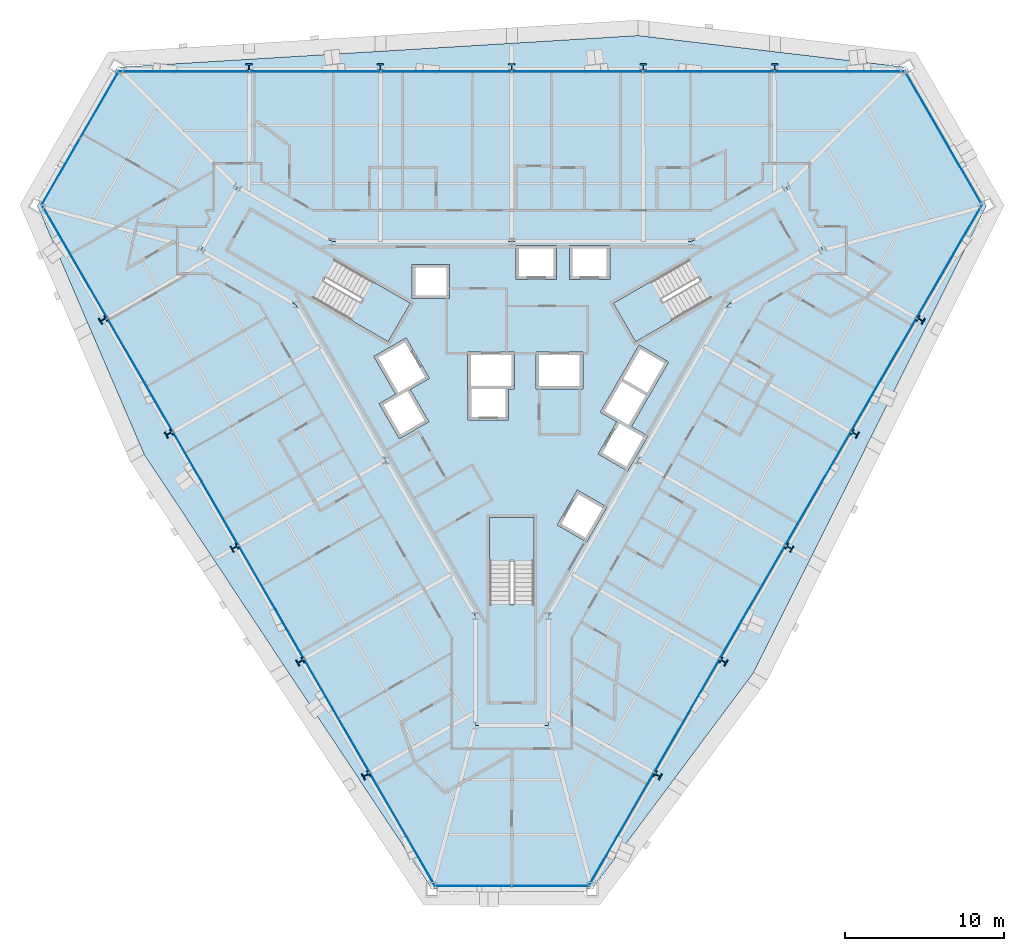
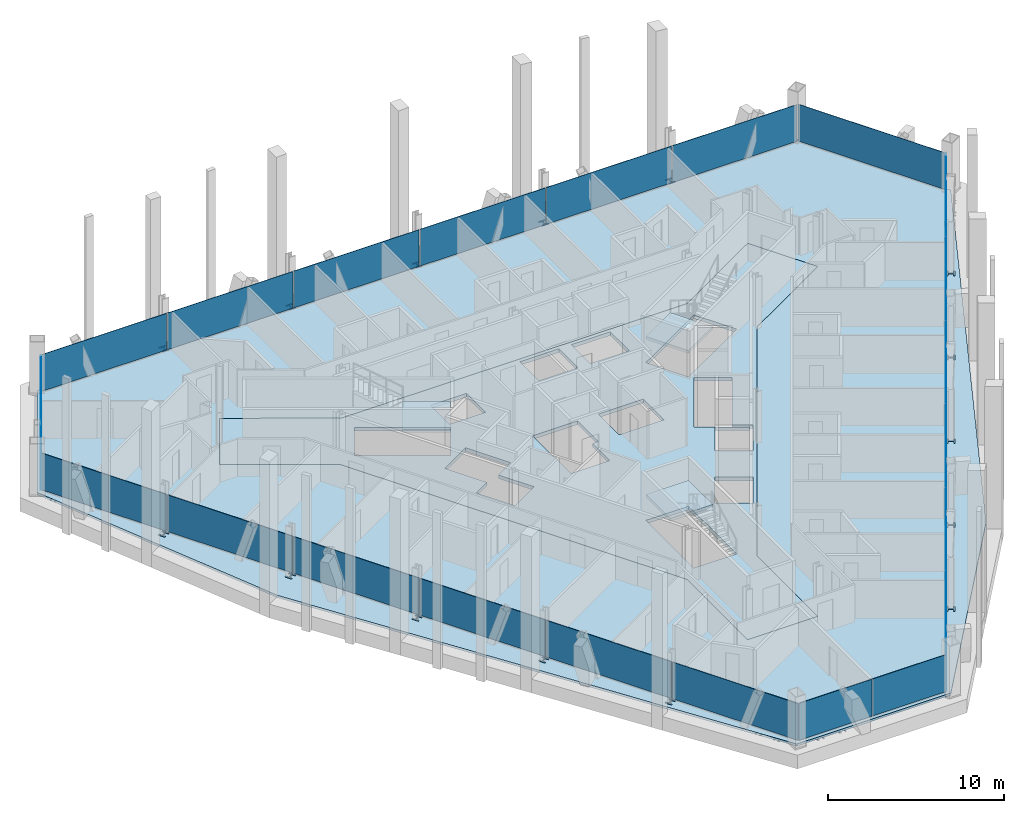
# One storey, part 9 of 17: 23 plates, 15 members, 5 slabs, 9 elements without a shape of their own.
"""IFC4 building model written with IfcOpenShell, lengths in metres."""

from ifc_helpers import new_model, si_unit, direction, frame, origin, origin_2d, place, context, subcontext, project, spatial, polyline, rectangle, i_section, outline, extrude, material, layer, layer_set, material_profile, profile_set, type_object, element, aggregate, save


model = new_model("IFC4")

# Units and contexts
model_context = context("Model", 3, precision=1e-05, world=origin(), true_north=direction((0.0, 1.0)))
body_context = subcontext(model_context, "Body", "Model", "MODEL_VIEW")
ifc_project = project(units=[si_unit("LENGTHUNIT", "METRE"), si_unit("AREAUNIT", "SQUARE_METRE"), si_unit("VOLUMEUNIT", "CUBIC_METRE"), si_unit("PLANEANGLEUNIT", "RADIAN"), si_unit("MASSUNIT", "GRAM", prefix="KILO")], contexts=[model_context])

# Site, building, storey
site_placement = place(None, origin())
site = spatial("IfcSite", under=ifc_project, at=site_placement, CompositionType="ELEMENT")
building_placement = place(site_placement, origin())
building = spatial("IfcBuilding", under=site, at=building_placement, Name="Verrane Prism Tower", CompositionType="ELEMENT")
storey_placement = place(building_placement, frame((0.0, 0.0, 132.39990234375)))
storey = spatial("IfcBuildingStorey", under=building, at=storey_placement, Name="L32", CompositionType="ELEMENT", Elevation=132.39990234375)

# Members
ifc_material_1 = material(Name="Steel A992", Category="steel")
ifc_material_profile = material_profile(ifc_material_1, i_section(OverallWidth=0.419189453125, OverallDepth=0.45458984375, WebThickness=0.042236328125, FlangeThickness=0.067626953125, FilletRadius=0.01513671875, at=origin_2d()), Name="W14x370")
ifc_profile_set = profile_set([ifc_material_profile], Name="Steel A992")
member_type = type_object("IfcMemberType", Name="Kink node W14x370", PredefinedType="COLLAR", material=ifc_profile_set)
for number, where, z_axis, x_axis, name in (
    (1, (16.57861328125, 20.18603515625, -0.039794921875), (0.0, 0.0, 1.0), (1.0, 0.0, 0.0), "Kink node PC5 L32"),
    (2, (8.289306640625, 20.18603515625, -0.039794921875), (0.0, 0.0, 1.0), (1.0, 0.0, 0.0), "Kink node PC5 L32"),
):
    element("IfcMember", number, at=place(storey_placement, frame(where, z_axis=z_axis, x_axis=x_axis)), inside=storey, type_object=member_type, Name=name, PredefinedType="COLLAR", context=body_context, shape_type="SweptSolid", body=[
        extrude(i_section(OverallWidth=0.419189453125, OverallDepth=0.45458984375, WebThickness=0.042236328125, FlangeThickness=0.067626953125, FilletRadius=0.01513671875, at=origin_2d()), origin(), (0.0, 0.0, 1.0), 0.079833984375),
    ])
member_1_placement = place(storey_placement, frame((0.0, 20.1865234375, -0.034912109375), z_axis=(0.0, 0.0, 1.0), x_axis=(1.0, 0.0, 0.0)))
element("IfcMember", 3, at=member_1_placement, inside=storey, type_object=member_type, Name="Kink node PC5 L32", PredefinedType="COLLAR", context=body_context, shape_type="SweptSolid", body=[
    extrude(i_section(OverallWidth=0.419189453125, OverallDepth=0.45458984375, WebThickness=0.042236328125, FlangeThickness=0.067626953125, FilletRadius=0.01513671875, at=origin_2d()), origin(), (0.0, 0.0, 1.0), 0.070068359375),
])
for number, where, z_axis, x_axis, name in (
    (4, (-8.289306640625, 20.18603515625, -0.039794921875), (0.0, 0.0, 1.0), (1.0, 0.0, 0.0), "Kink node PC5 L32"),
    (5, (-16.57861328125, 20.18603515625, -0.039794921875), (0.0, 0.0, 1.0), (1.0, 0.0, 0.0), "Kink node PC5 L32"),
    (6, (9.1875, -24.456787109375, -0.039794921875), (0.0, 0.0, 1.0), (-0.5, -0.866025403784, 0.0), "Kink node PC5 L32"),
    (7, (13.3369140625, -17.27734375, -0.039794921875), (0.0, 0.0, 1.0), (-0.5, -0.866025403784, 0.0), "Kink node PC5 L32"),
):
    element("IfcMember", number, at=place(storey_placement, frame(where, z_axis=z_axis, x_axis=x_axis)), inside=storey, type_object=member_type, Name=name, PredefinedType="COLLAR", context=body_context, shape_type="SweptSolid", body=[
        extrude(i_section(OverallWidth=0.419189453125, OverallDepth=0.45458984375, WebThickness=0.042236328125, FlangeThickness=0.067626953125, FilletRadius=0.01513671875, at=origin_2d()), origin(), (0.0, 0.0, 1.0), 0.079833984375),
    ])
member_2_placement = place(storey_placement, frame((17.487060546875, -10.098388671875, -0.034912109375), z_axis=(0.0, 0.0, 1.0), x_axis=(-0.5, -0.866025403784, 0.0)))
element("IfcMember", 8, at=member_2_placement, inside=storey, type_object=member_type, Name="Kink node PC5 L32", PredefinedType="COLLAR", context=body_context, shape_type="SweptSolid", body=[
    extrude(i_section(OverallWidth=0.419189453125, OverallDepth=0.45458984375, WebThickness=0.042236328125, FlangeThickness=0.067626953125, FilletRadius=0.01513671875, at=origin_2d()), origin(), (0.0, 0.0, 1.0), 0.070068359375),
])
for number, where, z_axis, x_axis, name in (
    (9, (21.626220703125, -2.90869140625, -0.039794921875), (0.0, 0.0, 1.0), (-0.5, -0.866025403784, 0.0), "Kink node PC5 L32"),
    (10, (25.77587890625, 4.2705078125, -0.039794921875), (0.0, 0.0, 1.0), (-0.5, -0.866025403784, 0.0), "Kink node PC5 L32"),
    (11, (-25.77587890625, 4.2705078125, -0.039794921875), (0.0, 0.0, 1.0), (-0.5, 0.866025403784, 0.0), "Kink node PC5 L32"),
    (12, (-21.626220703125, -2.90869140625, -0.039794921875), (0.0, 0.0, 1.0), (-0.5, 0.866025403784, 0.0), "Kink node PC5 L32"),
):
    element("IfcMember", number, at=place(storey_placement, frame(where, z_axis=z_axis, x_axis=x_axis)), inside=storey, type_object=member_type, Name=name, PredefinedType="COLLAR", context=body_context, shape_type="SweptSolid", body=[
        extrude(i_section(OverallWidth=0.419189453125, OverallDepth=0.45458984375, WebThickness=0.042236328125, FlangeThickness=0.067626953125, FilletRadius=0.01513671875, at=origin_2d()), origin(), (0.0, 0.0, 1.0), 0.079833984375),
    ])
member_3_placement = place(storey_placement, frame((-17.487060546875, -10.098388671875, -0.034912109375), z_axis=(0.0, 0.0, 1.0), x_axis=(-0.5, 0.866025403784, 0.0)))
element("IfcMember", 13, at=member_3_placement, inside=storey, type_object=member_type, Name="Kink node PC5 L32", PredefinedType="COLLAR", context=body_context, shape_type="SweptSolid", body=[
    extrude(i_section(OverallWidth=0.419189453125, OverallDepth=0.45458984375, WebThickness=0.042236328125, FlangeThickness=0.067626953125, FilletRadius=0.01513671875, at=origin_2d()), origin(), (0.0, 0.0, 1.0), 0.070068359375),
])
for number, where, z_axis, x_axis, name in (
    (14, (-13.3369140625, -17.27734375, -0.039794921875), (0.0, 0.0, 1.0), (-0.5, 0.866025403784, 0.0), "Kink node PC5 L32"),
    (15, (-9.1875, -24.456787109375, -0.039794921875), (0.0, 0.0, 1.0), (-0.5, 0.866025403784, 0.0), "Kink node PC5 L32"),
):
    element("IfcMember", number, at=place(storey_placement, frame(where, z_axis=z_axis, x_axis=x_axis)), inside=storey, type_object=member_type, Name=name, PredefinedType="COLLAR", context=body_context, shape_type="SweptSolid", body=[
        extrude(i_section(OverallWidth=0.419189453125, OverallDepth=0.45458984375, WebThickness=0.042236328125, FlangeThickness=0.067626953125, FilletRadius=0.01513671875, at=origin_2d()), origin(), (0.0, 0.0, 1.0), 0.079833984375),
    ])

# Slabs
ifc_material_2 = material(Name="Concrete C35/45", Category="concrete")
ifc_layer_1 = layer(ifc_material_2, 0.159912109375)
ifc_layer_set_1 = layer_set([ifc_layer_1], Name="Composite floor slab")
slab_type_1 = type_object("IfcSlabType", Name="Composite floor slab", PredefinedType="FLOOR", material=ifc_layer_set_1)
slab_1_placement = place(storey_placement, frame((0.0, 0.0, -0.159912109375)))
element("IfcSlab", 16, at=slab_1_placement, inside=storey, type_object=slab_type_1, Name="Floor slab L32", PredefinedType="FLOOR", context=body_context, shape_type="SweptSolid", body=[
    extrude(outline(polyline([(15.23681640625, -17.989013671875), (5.047119140625, -31.63818359375), (-5.047119140625, -31.63818359375), (-23.197265625, -4.201171875), (-29.923095703125, 11.4482421875), (-24.876220703125, 20.18994140625), (7.96044921875, 22.18994140625), (24.876220703125, 20.18994140625), (29.923095703125, 11.4482421875), (15.23681640625, -17.989013671875)]), holes=[polyline([(19.60009765625, 8.659912109375), (17.300048828125, 12.639892578125), (11.330078125, 9.199951171875), (0.0, 9.199951171875), (-11.330078125, 9.199951171875), (-17.300048828125, 12.639892578125), (-19.60009765625, 8.659912109375), (-13.6298828125, 5.219970703125), (-7.969970703125, -4.60009765625), (-2.300048828125, -14.419921875), (-2.300048828125, -21.300048828125), (2.300048828125, -21.300048828125), (2.300048828125, -14.419921875), (7.969970703125, -4.60009765625), (13.6298828125, 5.219970703125), (19.60009765625, 8.659912109375)])]), origin(), (0.0, 0.0, 1.0), 0.159912109375),
])
ifc_material_3 = material(Name="Concrete C40/50", Category="concrete")
ifc_layer_2 = layer(ifc_material_3, 0.25)
ifc_layer_set_2 = layer_set([ifc_layer_2], Name="Core floor slab 250 concrete C40/50")
slab_type_2 = type_object("IfcSlabType", Name="Core floor slab 250 concrete C40/50", PredefinedType="FLOOR", material=ifc_layer_set_2)
slab_2_placement = place(storey_placement, frame((0.0, 0.0, -0.25)))
element("IfcSlab", 17, at=slab_2_placement, inside=storey, type_object=slab_type_2, Name="Core floor L32", PredefinedType="FLOOR", context=body_context, shape_type="SweptSolid", body=[
    extrude(outline(polyline([(13.6298828125, 5.219970703125), (19.60009765625, 8.659912109375), (17.300048828125, 12.639892578125), (11.330078125, 9.199951171875), (0.0, 9.199951171875), (-11.330078125, 9.199951171875), (-17.300048828125, 12.639892578125), (-19.60009765625, 8.659912109375), (-13.6298828125, 5.219970703125), (-7.969970703125, -4.60009765625), (-2.300048828125, -14.419921875), (-2.300048828125, -21.300048828125), (2.300048828125, -21.300048828125), (2.300048828125, -14.419921875), (7.969970703125, -4.60009765625), (13.6298828125, 5.219970703125)]), holes=[polyline([(1.39990234375, -8.199951171875), (1.39990234375, -13.639892578125), (-1.39990234375, -13.639892578125), (-1.39990234375, -8.199951171875), (1.39990234375, -8.199951171875)]), polyline([(0.1650390625, 2.25), (0.1650390625, -0.10009765625), (-0.205078125, -0.10009765625), (-0.205078125, -2.050048828125), (-2.7548828125, -2.050048828125), (-2.7548828125, -0.10009765625), (-2.784912109375, -0.10009765625), (-2.784912109375, 2.25), (0.1650390625, 2.25)]), polyline([(-7.801025390625, 2.887939453125), (-12.512939453125, 5.60791015625), (-11.113037109375, 8.031982421875), (-6.40087890625, 5.31201171875), (-7.801025390625, 2.887939453125)]), polyline([(-6.284912109375, 5.610107421875), (-6.284912109375, 7.760009765625), (-3.93505859375, 7.760009765625), (-3.93505859375, 5.610107421875), (-6.284912109375, 5.610107421875)]), polyline([(2.81494140625, 6.81005859375), (0.264892578125, 6.81005859375), (0.264892578125, 8.9599609375), (2.81494140625, 8.9599609375), (2.81494140625, 6.81005859375)]), polyline([(4.717041015625, -9.75), (2.85498046875, -8.675048828125), (4.1298828125, -6.466064453125), (5.991943359375, -7.541015625), (4.717041015625, -9.75)]), polyline([(8.303955078125, -3.136962890625), (5.575927734375, -1.56201171875), (8.02587890625, 2.680908203125), (9.887939453125, 1.60595703125), (7.5380859375, -2.464111328125), (8.576904296875, -3.06396484375), (7.302001953125, -5.27197265625), (5.43994140625, -4.197021484375), (6.614990234375, -2.162109375), (8.303955078125, -3.136962890625)]), polyline([(1.52490234375, -0.10009765625), (1.52490234375, 2.25), (4.47509765625, 2.25), (4.47509765625, -0.10009765625), (1.52490234375, -0.10009765625)]), polyline([(11.113037109375, 8.031982421875), (12.512939453125, 5.60791015625), (7.801025390625, 2.887939453125), (6.40087890625, 5.31201171875), (11.113037109375, 8.031982421875)]), polyline([(3.625, 6.81005859375), (3.625, 8.9599609375), (6.175048828125, 8.9599609375), (6.175048828125, 6.81005859375), (3.625, 6.81005859375)]), polyline([(-5.23095703125, -2.159912109375), (-7.093017578125, -3.235107421875), (-8.367919921875, -1.02587890625), (-7.3291015625, -0.426025390625), (-8.7041015625, 1.955078125), (-6.66796875, 3.1298828125), (-5.193115234375, 0.574951171875), (-6.406005859375, -0.125), (-5.23095703125, -2.159912109375)])]), origin(), (0.0, 0.0, 1.0), 0.25),
])

# Curtain wall, plates
ifc_material_4 = material(Name="Aluminium framed insulated glazing", Category="aluminium")
curtain_wall_type_1 = type_object("IfcCurtainWallType", Name="Curtain wall CW-C 4200 module", PredefinedType="NOTDEFINED", material=ifc_material_4)
curtain_wall_1_placement = place(storey_placement, origin())
curtain_wall_1 = element("IfcCurtainWall", 18, at=curtain_wall_1_placement, inside=storey, type_object=curtain_wall_type_1, Name="Glazed curtain wall south corner L32", PredefinedType="NOTDEFINED")
ifc_material_5 = material(Name="Low-iron insulating glass unit", Category="glass")
ifc_layer_3 = layer(ifc_material_5, 0.02392578125)
ifc_layer_set_3 = layer_set([ifc_layer_3], Name="Glazing panel IGU 24")
plate_type_1 = type_object("IfcPlateType", Name="Glazing panel IGU 24", PredefinedType="CURTAIN_PANEL", material=ifc_layer_set_3)
plate_1_placement = place(storey_placement, frame((-2.408447265625, -31.435546875, 0.050048828125), z_axis=(0.0, 0.0, 1.0), x_axis=(1.0, 0.0, 0.0)))
plate_1 = element("IfcPlate", 19, at=plate_1_placement, type_object=plate_type_1, Name="CW32.5 panel 1", PredefinedType="CURTAIN_PANEL", context=body_context, shape_type="SweptSolid", body=[
    extrude(rectangle(XDim=4.766845703125, YDim=0.02392578125, at=origin_2d()), origin(), (0.0, 0.0, 1.0), 2.56298828125),
])
plate_2_placement = place(storey_placement, frame((2.433349609375, -31.435546875, 0.050048828125), z_axis=(0.0, 0.0, 1.0), x_axis=(1.0, 0.0, 0.0)))
plate_2 = element("IfcPlate", 20, at=plate_2_placement, type_object=plate_type_1, Name="CW32.5 panel 2", PredefinedType="CURTAIN_PANEL", context=body_context, shape_type="SweptSolid", body=[
    extrude(rectangle(XDim=4.81689453125, YDim=0.02392578125, at=origin_2d()), origin(), (0.0, 0.0, 1.0), 2.56298828125),
])
aggregate(curtain_wall_1, [plate_1, plate_2])

ifc_material_6 = material(Name="Aluminium framed insulated glazing", Category="aluminium")
curtain_wall_type_2 = type_object("IfcCurtainWallType", Name="Curtain wall CW-B 5600 module", PredefinedType="NOTDEFINED", material=ifc_material_6)
curtain_wall_2_placement = place(storey_placement, origin())
curtain_wall_2 = element("IfcCurtainWall", 21, at=curtain_wall_2_placement, inside=storey, type_object=curtain_wall_type_2, Name="Glazed curtain wall north-west corner L32", PredefinedType="NOTDEFINED")
ifc_material_7 = material(Name="Low-iron insulating glass unit", Category="glass")
ifc_layer_4 = layer(ifc_material_7, 0.028076171875)
ifc_layer_set_4 = layer_set([ifc_layer_4], Name="Glazing panel IGU 28")
plate_type_2 = type_object("IfcPlateType", Name="Glazing panel IGU 28", PredefinedType="CURTAIN_PANEL", material=ifc_layer_set_4)
plate_3_placement = place(storey_placement, frame((-26.02099609375, 17.80126953125, 0.06005859375), z_axis=(0.0, 0.0, 1.0), x_axis=(-0.499996279953, -0.866027551544, 0.0)))
plate_3 = element("IfcPlate", 22, at=plate_3_placement, type_object=plate_type_2, Name="CW32.3 panel 1", PredefinedType="CURTAIN_PANEL", context=body_context, shape_type="SweptSolid", body=[
    extrude(rectangle(XDim=4.751953125, YDim=0.028076171875, at=origin_2d()), origin(), (0.0, 0.0, 1.0), 2.552978515625),
])
plate_4_placement = place(storey_placement, frame((-28.44189453125, 13.608154296875, 0.06005859375), z_axis=(0.0, 0.0, 1.0), x_axis=(-0.499996279953, -0.866027551544, 0.0)))
plate_4 = element("IfcPlate", 23, at=plate_4_placement, type_object=plate_type_2, Name="CW32.3 panel 2", PredefinedType="CURTAIN_PANEL", context=body_context, shape_type="SweptSolid", body=[
    extrude(rectangle(XDim=4.81201171875, YDim=0.028076171875, at=origin_2d()), origin(), (0.0, 0.0, 1.0), 2.552978515625),
])
aggregate(curtain_wall_2, [plate_3, plate_4])

# Curtain wall, plate
ifc_material_8 = material(Name="Aluminium framed insulated glazing", Category="aluminium")
curtain_wall_type_3 = type_object("IfcCurtainWallType", Name="Curtain wall CW-A 8400 module", PredefinedType="NOTDEFINED", material=ifc_material_8)
curtain_wall_3_placement = place(storey_placement, origin())
curtain_wall_3 = element("IfcCurtainWall", 24, at=curtain_wall_3_placement, inside=storey, type_object=curtain_wall_type_3, Name="Glazed curtain wall north-east corner L32", PredefinedType="NOTDEFINED")
ifc_material_9 = material(Name="Low-iron insulating glass unit", Category="glass")
ifc_layer_5 = layer(ifc_material_9, 0.031982421875)
ifc_layer_set_5 = layer_set([ifc_layer_5], Name="Glazing panel IGU 32")
plate_type_3 = type_object("IfcPlateType", Name="Glazing panel IGU 32", PredefinedType="CURTAIN_PANEL", material=ifc_layer_set_5)
plate_5_placement = place(storey_placement, frame((27.20654296875, 15.748046875, 0.070068359375), z_axis=(0.0, 0.0, 1.0), x_axis=(-0.499996279953, 0.866027551544, 0.0)))
plate_5 = element("IfcPlate", 25, at=plate_5_placement, type_object=plate_type_3, Name="CW32.1 panel 1", PredefinedType="CURTAIN_PANEL", context=body_context, shape_type="SweptSolid", body=[
    extrude(rectangle(XDim=9.61376953125, YDim=0.031982421875, at=origin_2d()), origin(), (0.0, 0.0, 1.0), 2.54296875),
])
aggregate(curtain_wall_3, [plate_5])

# Curtain wall, plates
curtain_wall_4_placement = place(storey_placement, origin())
curtain_wall_4 = element("IfcCurtainWall", 26, at=curtain_wall_4_placement, inside=storey, type_object=curtain_wall_type_3, Name="Glazed curtain wall north face L32", PredefinedType="NOTDEFINED")
plate_6_placement = place(storey_placement, frame((20.651611328125, 19.910888671875, 0.070068359375), z_axis=(0.0, 0.0, 1.0), x_axis=(-1.0, 0.0, 0.0)))
plate_6 = element("IfcPlate", 27, at=plate_6_placement, type_object=plate_type_3, Name="CW32.2 panel 1", PredefinedType="CURTAIN_PANEL", context=body_context, shape_type="SweptSolid", body=[
    extrude(rectangle(XDim=8.16259765625, YDim=0.031982421875, at=origin_2d()), origin(), (0.0, 0.0, 1.0), 2.54296875),
])
plate_7_placement = place(storey_placement, frame((12.401611328125, 19.910888671875, 0.070068359375), z_axis=(0.0, 0.0, 1.0), x_axis=(-1.0, 0.0, 0.0)))
plate_7 = element("IfcPlate", 28, at=plate_7_placement, type_object=plate_type_3, Name="CW32.2 panel 2", PredefinedType="CURTAIN_PANEL", context=body_context, shape_type="SweptSolid", body=[
    extrude(rectangle(XDim=8.19775390625, YDim=0.031982421875, at=origin_2d()), origin(), (0.0, 0.0, 1.0), 2.54296875),
])
plate_8_placement = place(storey_placement, frame((4.1337890625, 19.910888671875, 0.070068359375), z_axis=(0.0, 0.0, 1.0), x_axis=(-1.0, 0.0, 0.0)))
plate_8 = element("IfcPlate", 29, at=plate_8_placement, type_object=plate_type_3, Name="CW32.2 panel 3", PredefinedType="CURTAIN_PANEL", context=body_context, shape_type="SweptSolid", body=[
    extrude(rectangle(XDim=8.19775390625, YDim=0.031982421875, at=origin_2d()), origin(), (0.0, 0.0, 1.0), 2.54296875),
])
plate_9_placement = place(storey_placement, frame((-4.1337890625, 19.910888671875, 0.070068359375), z_axis=(0.0, 0.0, 1.0), x_axis=(-1.0, 0.0, 0.0)))
plate_9 = element("IfcPlate", 30, at=plate_9_placement, type_object=plate_type_3, Name="CW32.2 panel 4", PredefinedType="CURTAIN_PANEL", context=body_context, shape_type="SweptSolid", body=[
    extrude(rectangle(XDim=8.19775390625, YDim=0.031982421875, at=origin_2d()), origin(), (0.0, 0.0, 1.0), 2.54296875),
])
plate_10_placement = place(storey_placement, frame((-12.401611328125, 19.910888671875, 0.070068359375), z_axis=(0.0, 0.0, 1.0), x_axis=(-1.0, 0.0, 0.0)))
plate_10 = element("IfcPlate", 31, at=plate_10_placement, type_object=plate_type_3, Name="CW32.2 panel 5", PredefinedType="CURTAIN_PANEL", context=body_context, shape_type="SweptSolid", body=[
    extrude(rectangle(XDim=8.19775390625, YDim=0.031982421875, at=origin_2d()), origin(), (0.0, 0.0, 1.0), 2.54296875),
])
plate_11_placement = place(storey_placement, frame((-20.686767578125, 19.910888671875, 0.070068359375), z_axis=(0.0, 0.0, 1.0), x_axis=(-1.0, 0.0, 0.0)))
plate_11 = element("IfcPlate", 32, at=plate_11_placement, type_object=plate_type_3, Name="CW32.2 panel 6", PredefinedType="CURTAIN_PANEL", context=body_context, shape_type="SweptSolid", body=[
    extrude(rectangle(XDim=8.232666015625, YDim=0.031982421875, at=origin_2d()), origin(), (0.0, 0.0, 1.0), 2.54296875),
])
aggregate(curtain_wall_4, [plate_6, plate_7, plate_8, plate_9, plate_10, plate_11])

curtain_wall_5_placement = place(storey_placement, origin())
curtain_wall_5 = element("IfcCurtainWall", 33, at=curtain_wall_5_placement, inside=storey, type_object=curtain_wall_type_3, Name="Glazed curtain wall south-west face L32", PredefinedType="NOTDEFINED")
plate_12_placement = place(storey_placement, frame((-27.5693359375, 7.929443359375, 0.070068359375), z_axis=(0.0, 0.0, 1.0), x_axis=(0.500000490406, -0.866025120648, 0.0)))
plate_12 = element("IfcPlate", 34, at=plate_12_placement, type_object=plate_type_3, Name="CW32.4 panel 1", PredefinedType="CURTAIN_PANEL", context=body_context, shape_type="SweptSolid", body=[
    extrude(rectangle(XDim=8.16259765625, YDim=0.031982421875, at=origin_2d()), origin(), (0.0, 0.0, 1.0), 2.54296875),
])
plate_13_placement = place(storey_placement, frame((-23.444091796875, 0.784423828125, 0.070068359375), z_axis=(0.0, 0.0, 1.0), x_axis=(0.500000490406, -0.866025120648, 0.0)))
plate_13 = element("IfcPlate", 35, at=plate_13_placement, type_object=plate_type_3, Name="CW32.4 panel 2", PredefinedType="CURTAIN_PANEL", context=body_context, shape_type="SweptSolid", body=[
    extrude(rectangle(XDim=8.19775390625, YDim=0.031982421875, at=origin_2d()), origin(), (0.0, 0.0, 1.0), 2.54296875),
])
plate_14_placement = place(storey_placement, frame((-19.310302734375, -6.37548828125, 0.070068359375), z_axis=(0.0, 0.0, 1.0), x_axis=(0.500000490406, -0.866025120648, 0.0)))
plate_14 = element("IfcPlate", 36, at=plate_14_placement, type_object=plate_type_3, Name="CW32.4 panel 3", PredefinedType="CURTAIN_PANEL", context=body_context, shape_type="SweptSolid", body=[
    extrude(rectangle(XDim=8.19775390625, YDim=0.031982421875, at=origin_2d()), origin(), (0.0, 0.0, 1.0), 2.54296875),
])
plate_15_placement = place(storey_placement, frame((-15.176513671875, -13.535400390625, 0.070068359375), z_axis=(0.0, 0.0, 1.0), x_axis=(0.500000490406, -0.866025120648, 0.0)))
plate_15 = element("IfcPlate", 37, at=plate_15_placement, type_object=plate_type_3, Name="CW32.4 panel 4", PredefinedType="CURTAIN_PANEL", context=body_context, shape_type="SweptSolid", body=[
    extrude(rectangle(XDim=8.19775390625, YDim=0.031982421875, at=origin_2d()), origin(), (0.0, 0.0, 1.0), 2.54296875),
])
plate_16_placement = place(storey_placement, frame((-11.042724609375, -20.695556640625, 0.070068359375), z_axis=(0.0, 0.0, 1.0), x_axis=(0.500000490406, -0.866025120648, 0.0)))
plate_16 = element("IfcPlate", 38, at=plate_16_placement, type_object=plate_type_3, Name="CW32.4 panel 5", PredefinedType="CURTAIN_PANEL", context=body_context, shape_type="SweptSolid", body=[
    extrude(rectangle(XDim=8.19775390625, YDim=0.031982421875, at=origin_2d()), origin(), (0.0, 0.0, 1.0), 2.54296875),
])
plate_17_placement = place(storey_placement, frame((-6.900146484375, -27.87060546875, 0.070068359375), z_axis=(0.0, 0.0, 1.0), x_axis=(0.500000490406, -0.866025120648, 0.0)))
plate_17 = element("IfcPlate", 39, at=plate_17_placement, type_object=plate_type_3, Name="CW32.4 panel 6", PredefinedType="CURTAIN_PANEL", context=body_context, shape_type="SweptSolid", body=[
    extrude(rectangle(XDim=8.232666015625, YDim=0.031982421875, at=origin_2d()), origin(), (0.0, 0.0, 1.0), 2.54296875),
])
aggregate(curtain_wall_5, [plate_12, plate_13, plate_14, plate_15, plate_16, plate_17])

curtain_wall_6_placement = place(storey_placement, origin())
curtain_wall_6 = element("IfcCurtainWall", 40, at=curtain_wall_6_placement, inside=storey, type_object=curtain_wall_type_3, Name="Glazed curtain wall south-east face L32", PredefinedType="NOTDEFINED")
plate_18_placement = place(storey_placement, frame((6.91748046875, -27.84033203125, 0.070068359375), z_axis=(0.0, 0.0, 1.0), x_axis=(0.500000490406, 0.866025120648, 0.0)))
plate_18 = element("IfcPlate", 41, at=plate_18_placement, type_object=plate_type_3, Name="CW32.6 panel 1", PredefinedType="CURTAIN_PANEL", context=body_context, shape_type="SweptSolid", body=[
    extrude(rectangle(XDim=8.16259765625, YDim=0.031982421875, at=origin_2d()), origin(), (0.0, 0.0, 1.0), 2.54296875),
])
plate_19_placement = place(storey_placement, frame((11.042724609375, -20.695556640625, 0.070068359375), z_axis=(0.0, 0.0, 1.0), x_axis=(0.500000490406, 0.866025120648, 0.0)))
plate_19 = element("IfcPlate", 42, at=plate_19_placement, type_object=plate_type_3, Name="CW32.6 panel 2", PredefinedType="CURTAIN_PANEL", context=body_context, shape_type="SweptSolid", body=[
    extrude(rectangle(XDim=8.19775390625, YDim=0.031982421875, at=origin_2d()), origin(), (0.0, 0.0, 1.0), 2.54296875),
])
plate_20_placement = place(storey_placement, frame((15.176513671875, -13.535400390625, 0.070068359375), z_axis=(0.0, 0.0, 1.0), x_axis=(0.500000490406, 0.866025120648, 0.0)))
plate_20 = element("IfcPlate", 43, at=plate_20_placement, type_object=plate_type_3, Name="CW32.6 panel 3", PredefinedType="CURTAIN_PANEL", context=body_context, shape_type="SweptSolid", body=[
    extrude(rectangle(XDim=8.19775390625, YDim=0.031982421875, at=origin_2d()), origin(), (0.0, 0.0, 1.0), 2.54296875),
])
plate_21_placement = place(storey_placement, frame((19.310302734375, -6.37548828125, 0.070068359375), z_axis=(0.0, 0.0, 1.0), x_axis=(0.500000490406, 0.866025120648, 0.0)))
plate_21 = element("IfcPlate", 44, at=plate_21_placement, type_object=plate_type_3, Name="CW32.6 panel 4", PredefinedType="CURTAIN_PANEL", context=body_context, shape_type="SweptSolid", body=[
    extrude(rectangle(XDim=8.19775390625, YDim=0.031982421875, at=origin_2d()), origin(), (0.0, 0.0, 1.0), 2.54296875),
])
plate_22_placement = place(storey_placement, frame((23.444091796875, 0.784423828125, 0.070068359375), z_axis=(0.0, 0.0, 1.0), x_axis=(0.500000490406, 0.866025120648, 0.0)))
plate_22 = element("IfcPlate", 45, at=plate_22_placement, type_object=plate_type_3, Name="CW32.6 panel 5", PredefinedType="CURTAIN_PANEL", context=body_context, shape_type="SweptSolid", body=[
    extrude(rectangle(XDim=8.19775390625, YDim=0.031982421875, at=origin_2d()), origin(), (0.0, 0.0, 1.0), 2.54296875),
])
plate_23_placement = place(storey_placement, frame((27.586669921875, 7.959716796875, 0.070068359375), z_axis=(0.0, 0.0, 1.0), x_axis=(0.500000490406, 0.866025120648, 0.0)))
plate_23 = element("IfcPlate", 46, at=plate_23_placement, type_object=plate_type_3, Name="CW32.6 panel 6", PredefinedType="CURTAIN_PANEL", context=body_context, shape_type="SweptSolid", body=[
    extrude(rectangle(XDim=8.232666015625, YDim=0.031982421875, at=origin_2d()), origin(), (0.0, 0.0, 1.0), 2.54296875),
])
aggregate(curtain_wall_6, [plate_18, plate_19, plate_20, plate_21, plate_22, plate_23])

# Stair, slab
ifc_material_10 = material(Name="Concrete C40/50", Category="concrete")
stair_type = type_object("IfcStairType", Name="Exit stair 1300 dog-leg precast concrete C40/50", PredefinedType="HALF_TURN_STAIR", material=ifc_material_10)
stair_1_placement = place(storey_placement, origin())
stair_1 = element("IfcStair", 47, at=stair_1_placement, inside=storey, type_object=stair_type, Name="Stair 1 L32", PredefinedType="HALF_TURN_STAIR")
ifc_material_11 = material(Name="Concrete C40/50", Category="concrete")
ifc_layer_6 = layer(ifc_material_11, 0.199951171875)
ifc_layer_set_6 = layer_set([ifc_layer_6], Name="Stair landing 200 precast concrete C40/50")
slab_type_3 = type_object("IfcSlabType", Name="Stair landing 200 precast concrete C40/50", PredefinedType="LANDING", material=ifc_layer_set_6)
slab_3_placement = place(storey_placement, frame((0.0, 0.0, 1.60009765625)))
slab_3 = element("IfcSlab", 48, at=slab_3_placement, type_object=slab_type_3, Name="Stair 1 landing 1", PredefinedType="LANDING", context=body_context, shape_type="SweptSolid", body=[
    extrude(outline(polyline([(8.791748046875, 6.6923828125), (6.4013671875, 5.3125), (7.801513671875, 2.887451171875), (10.191650390625, 4.267578125), (8.791748046875, 6.6923828125)])), origin(), (0.0, 0.0, 1.0), 0.199951171875),
])
aggregate(stair_1, [slab_3])

stair_2_placement = place(storey_placement, origin())
stair_2 = element("IfcStair", 49, at=stair_2_placement, inside=storey, type_object=stair_type, Name="Stair 2 L32", PredefinedType="HALF_TURN_STAIR")
slab_4_placement = place(storey_placement, frame((0.0, 0.0, 1.60009765625)))
slab_4 = element("IfcSlab", 50, at=slab_4_placement, type_object=slab_type_3, Name="Stair 2 landing 1", PredefinedType="LANDING", context=body_context, shape_type="SweptSolid", body=[
    extrude(outline(polyline([(-10.191650390625, 4.267578125), (-7.801513671875, 2.887451171875), (-6.4013671875, 5.3125), (-8.791748046875, 6.6923828125), (-10.191650390625, 4.267578125)])), origin(), (0.0, 0.0, 1.0), 0.199951171875),
])
aggregate(stair_2, [slab_4])

stair_3_placement = place(storey_placement, origin())
stair_3 = element("IfcStair", 51, at=stair_3_placement, inside=storey, type_object=stair_type, Name="Stair 3 L32", PredefinedType="HALF_TURN_STAIR")
slab_5_placement = place(storey_placement, frame((0.0, 0.0, 1.60009765625)))
slab_5 = element("IfcSlab", 52, at=slab_5_placement, type_object=slab_type_3, Name="Stair 3 landing 1", PredefinedType="LANDING", context=body_context, shape_type="SweptSolid", body=[
    extrude(outline(polyline([(1.39990234375, -10.9599609375), (1.39990234375, -8.199951171875), (-1.39990234375, -8.199951171875), (-1.39990234375, -10.9599609375), (1.39990234375, -10.9599609375)])), origin(), (0.0, 0.0, 1.0), 0.199951171875),
])
aggregate(stair_3, [slab_5])

save(model, "model.ifc")
